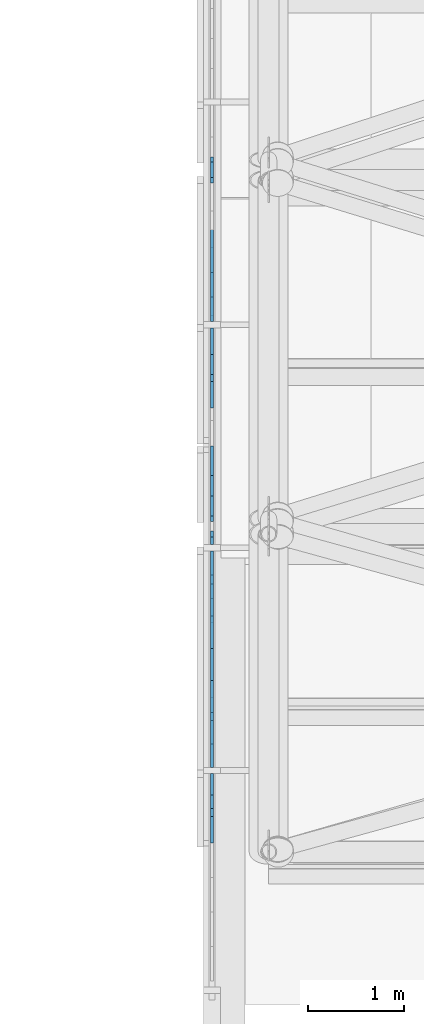
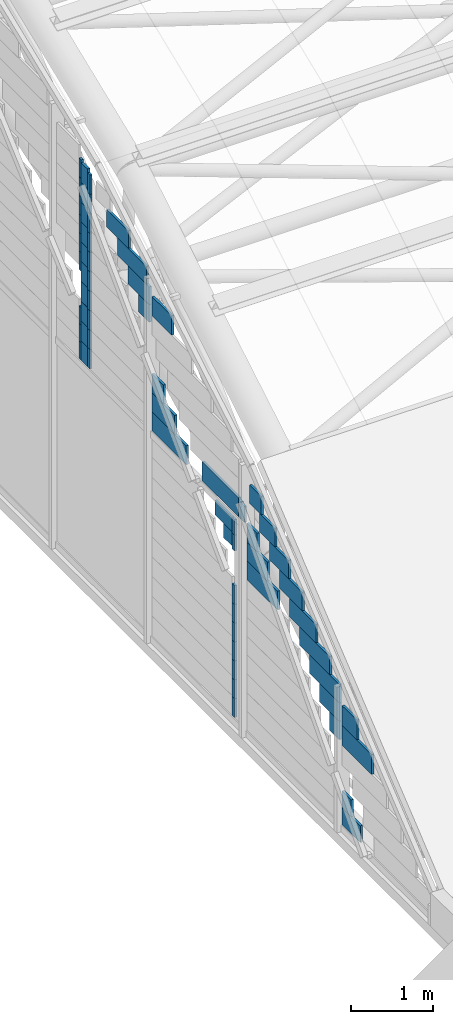
# One storey, part 69 of 110: 67 plates, 1 element without a shape of its own.
"""IFC4 building model written with IfcOpenShell, lengths in metres."""

from ifc_helpers import new_model, si_unit, direction, frame, origin, place, context, subcontext, project, spatial, polyline, outline, extrude, material, layer, layer_set, type_object, element, aggregate, save


model = new_model("IFC4")

# Units and contexts
model_context = context("Model", 3, precision=1e-05, world=origin(), true_north=direction((0.0, 1.0)))
body_context = subcontext(model_context, "Body", "Model", "MODEL_VIEW")
ifc_project = project(units=[si_unit("LENGTHUNIT", "METRE"), si_unit("AREAUNIT", "SQUARE_METRE"), si_unit("VOLUMEUNIT", "CUBIC_METRE"), si_unit("PLANEANGLEUNIT", "RADIAN"), si_unit("MASSUNIT", "GRAM", prefix="KILO")], contexts=[model_context])

# Site, building, storey
site_placement = place(None, origin())
site = spatial("IfcSite", under=ifc_project, at=site_placement, CompositionType="ELEMENT")
building_placement = place(site_placement, origin())
building = spatial("IfcBuilding", under=site, at=building_placement, Name="Windward Yard Aquatics Centre", CompositionType="ELEMENT")
storey_placement = place(building_placement, frame((0.0, 0.0, 22.60009765625)))
storey = spatial("IfcBuildingStorey", under=building, at=storey_placement, Name="L05", CompositionType="ELEMENT", Elevation=22.60009765625)

# Curtain wall, plates
ifc_material_1 = material(Name="Glass and aluminium curtain wall", Category="aluminium")
ifc_layer_1 = layer(ifc_material_1, 0.179931640625)
ifc_layer_set_1 = layer_set([ifc_layer_1], Name="H gable glazing system double glazed 8+16+8")
curtain_wall_type = type_object("IfcCurtainWallType", Name="H gable glazing system double glazed 8+16+8", PredefinedType="NOTDEFINED", material=ifc_layer_set_1)
curtain_wall_placement = place(storey_placement, origin())
curtain_wall = element("IfcCurtainWall", 1, at=curtain_wall_placement, inside=storey, type_object=curtain_wall_type, Name="Gable glazing W", PredefinedType="NOTDEFINED")
ifc_material_2 = material(Name="Low-iron glass", Category="glass")
ifc_layer_2 = layer(ifc_material_2, 0.008, Name="Outer pane")
ifc_material_3 = material(Name="Argon-filled cavity")
ifc_layer_3 = layer(ifc_material_3, 0.016, Name="Cavity")
ifc_layer_4 = layer(ifc_material_2, 0.008, Name="Inner pane")
ifc_layer_set_2 = layer_set([ifc_layer_2, ifc_layer_3, ifc_layer_4], Name="H gable glass low-e double glazed unit 32")
plate_type = type_object("IfcPlateType", Name="H gable glass low-e double glazed unit 32", PredefinedType="CURTAIN_PANEL", material=ifc_layer_set_2)
plate_1_placement = place(storey_placement, frame((59.426025390625, 41.69384765625, 1.28173828125), z_axis=(1.0, 0.0, 0.0), x_axis=(0.0, 1.0, 0.0)))
plate_1 = element("IfcPlate", 2, at=plate_1_placement, type_object=plate_type, Name="Gable panel 1.1e", PredefinedType="CURTAIN_PANEL", context=body_context, shape_type="SweptSolid", body=[
    extrude(outline(polyline([(0.0, 0.0), (0.719727, 0.0), (0.719727, 0.295166), (0.0, 0.295166), (0.0, 0.0)])), origin(), (0.0, 0.0, -1.0), 0.031982421875),
])
plate_2_placement = place(storey_placement, frame((59.426025390625, 42.0537109375, 1.5771484375), z_axis=(1.0, 0.0, 0.0), x_axis=(0.0, 1.0, 0.0)))
plate_2 = element("IfcPlate", 3, at=plate_2_placement, type_object=plate_type, Name="Gable panel 1.1f", PredefinedType="CURTAIN_PANEL", context=body_context, shape_type="SweptSolid", body=[
    extrude(outline(polyline([(0.0, 0.0), (0.359863, 0.0), (0.359863, 0.295166), (0.0, 0.295166), (0.0, 0.0)])), origin(), (0.0, 0.0, -1.0), 0.031982421875),
])
plate_3_placement = place(storey_placement, frame((59.426025390625, 41.966064453125, 0.099853515625), z_axis=(1.0, 0.0, 0.0), x_axis=(0.0, 1.0, 0.0)))
plate_3 = element("IfcPlate", 4, at=plate_3_placement, type_object=plate_type, Name="Gable panel 1.1g", PredefinedType="CURTAIN_PANEL", context=body_context, shape_type="SweptSolid", body=[
    extrude(outline(polyline([(0.0, 0.0), (0.44751, 0.0), (0.44751, 0.251221), (0.0, 0.251221), (0.0, 0.0)])), origin(), (0.0, 0.0, -1.0), 0.031982421875),
])
plate_4_placement = place(storey_placement, frame((59.426025390625, 42.189697265625, 0.3515625), z_axis=(1.0, 0.0, 0.0), x_axis=(0.0, 1.0, 0.0)))
plate_4 = element("IfcPlate", 5, at=plate_4_placement, type_object=plate_type, Name="Gable panel 1.1h", PredefinedType="CURTAIN_PANEL", context=body_context, shape_type="SweptSolid", body=[
    extrude(outline(polyline([(0.0, 0.0), (0.223877, 0.0), (0.223877, 0.250977), (0.0, 0.250977), (0.0, 0.0)])), origin(), (0.0, 0.0, -1.0), 0.031982421875),
])
plate_5_placement = place(storey_placement, frame((59.426025390625, 43.985107421875, 2.341064453125), z_axis=(1.0, 0.0, 0.0), x_axis=(0.0, 1.0, 0.0)))
plate_5 = element("IfcPlate", 6, at=plate_5_placement, type_object=plate_type, Name="Gable panel 2.1i", PredefinedType="CURTAIN_PANEL", context=body_context, shape_type="SweptSolid", body=[
    extrude(outline(polyline([(0.0, 0.0), (0.747803, 0.0), (0.747803, 0.279541), (0.0, 0.279541), (0.0, 0.0)])), origin(), (0.0, 0.0, -1.0), 0.031982421875),
])
plate_6_placement = place(storey_placement, frame((59.426025390625, 44.234375, 2.62109375), z_axis=(1.0, 0.0, 0.0), x_axis=(0.0, 1.0, 0.0)))
plate_6 = element("IfcPlate", 7, at=plate_6_placement, type_object=plate_type, Name="Gable panel 2.1j", PredefinedType="CURTAIN_PANEL", context=body_context, shape_type="SweptSolid", body=[
    extrude(outline(polyline([(0.0, 0.0), (0.498535, 0.0), (0.498535, 0.279785), (0.0, 0.279785), (0.0, 0.0)])), origin(), (0.0, 0.0, -1.0), 0.031982421875),
])
plate_7_placement = place(storey_placement, frame((59.426025390625, 44.4833984375, 2.901123046875), z_axis=(1.0, 0.0, 0.0), x_axis=(0.0, 1.0, 0.0)))
plate_7 = element("IfcPlate", 8, at=plate_7_placement, type_object=plate_type, Name="Gable panel 2.1k", PredefinedType="CURTAIN_PANEL", context=body_context, shape_type="SweptSolid", body=[
    extrude(outline(polyline([(0.0, 0.0), (0.249512, 0.0), (0.249512, 0.279785), (0.0, 0.279785), (0.0, 0.0)])), origin(), (0.0, 0.0, -1.0), 0.031982421875),
])
plate_8_placement = place(storey_placement, frame((59.426025390625, 42.478515625, 1.322021484375), z_axis=(1.0, 0.0, 0.0), x_axis=(0.0, 1.0, 0.0)))
plate_8 = element("IfcPlate", 9, at=plate_8_placement, type_object=plate_type, Name="Gable panel 2.1l", PredefinedType="CURTAIN_PANEL", context=body_context, shape_type="SweptSolid", body=[
    extrude(outline(polyline([(0.0, 0.0), (0.244141, 0.0), (0.244141, 0.273438), (0.0, 0.273438), (0.0, 0.0)])), origin(), (0.0, 0.0, -1.0), 0.031982421875),
])
plate_9_placement = place(storey_placement, frame((59.426025390625, 42.478515625, 1.595947265625), z_axis=(1.0, 0.0, 0.0), x_axis=(0.0, 1.0, 0.0)))
plate_9 = element("IfcPlate", 10, at=plate_9_placement, type_object=plate_type, Name="Gable panel 2.1m", PredefinedType="CURTAIN_PANEL", context=body_context, shape_type="SweptSolid", body=[
    extrude(outline(polyline([(0.0, 0.0), (0.487793, 0.0), (0.487793, 0.273682), (0.0, 0.273682), (0.0, 0.0)])), origin(), (0.0, 0.0, -1.0), 0.031982421875),
])
plate_10_placement = place(storey_placement, frame((59.426025390625, 42.478515625, 1.869873046875), z_axis=(1.0, 0.0, 0.0), x_axis=(0.0, 1.0, 0.0)))
plate_10 = element("IfcPlate", 11, at=plate_10_placement, type_object=plate_type, Name="Gable panel 2.1n", PredefinedType="CURTAIN_PANEL", context=body_context, shape_type="SweptSolid", body=[
    extrude(outline(polyline([(0.0, 0.0), (0.731689, 0.0), (0.731689, 0.273682), (0.0, 0.273682), (0.0, 0.0)])), origin(), (0.0, 0.0, -1.0), 0.031982421875),
])
plate_11_placement = place(storey_placement, frame((59.426025390625, 42.7177734375, 2.14404296875), z_axis=(1.0, 0.0, 0.0), x_axis=(0.0, 1.0, 0.0)))
plate_11 = element("IfcPlate", 12, at=plate_11_placement, type_object=plate_type, Name="Gable panel 2.1o", PredefinedType="CURTAIN_PANEL", context=body_context, shape_type="SweptSolid", body=[
    extrude(outline(polyline([(0.0, 0.0), (0.736084, 0.0), (0.736084, 0.273438), (0.0, 0.273438), (0.0, 0.0)])), origin(), (0.0, 0.0, -1.0), 0.031982421875),
])
plate_12_placement = place(storey_placement, frame((59.426025390625, 43.05126953125, 2.41796875), z_axis=(1.0, 0.0, 0.0), x_axis=(0.0, 1.0, 0.0)))
plate_12 = element("IfcPlate", 13, at=plate_12_placement, type_object=plate_type, Name="Gable panel 2.1p", PredefinedType="CURTAIN_PANEL", context=body_context, shape_type="SweptSolid", body=[
    extrude(outline(polyline([(0.0, 0.0), (0.64624, 0.0), (0.64624, 0.273682), (0.0, 0.273682), (0.0, 0.0)])), origin(), (0.0, 0.0, -1.0), 0.031982421875),
])
plate_13_placement = place(storey_placement, frame((59.426025390625, 43.385009765625, 2.69189453125), z_axis=(1.0, 0.0, 0.0), x_axis=(0.0, 1.0, 0.0)))
plate_13 = element("IfcPlate", 14, at=plate_13_placement, type_object=plate_type, Name="Gable panel 2.1q", PredefinedType="CURTAIN_PANEL", context=body_context, shape_type="SweptSolid", body=[
    extrude(outline(polyline([(0.0, 0.0), (0.556396, 0.0), (0.556396, 0.273682), (0.0, 0.273682), (0.0, 0.0)])), origin(), (0.0, 0.0, -1.0), 0.031982421875),
])
plate_14_placement = place(storey_placement, frame((59.426025390625, 43.718505859375, 2.966064453125), z_axis=(1.0, 0.0, 0.0), x_axis=(0.0, 1.0, 0.0)))
plate_14 = element("IfcPlate", 15, at=plate_14_placement, type_object=plate_type, Name="Gable panel 2.1r", PredefinedType="CURTAIN_PANEL", context=body_context, shape_type="SweptSolid", body=[
    extrude(outline(polyline([(0.0, 0.0), (0.466553, 0.0), (0.466553, 0.273438), (0.0, 0.273438), (0.0, 0.0)])), origin(), (0.0, 0.0, -1.0), 0.031982421875),
])
plate_15_placement = place(storey_placement, frame((59.426025390625, 44.05224609375, 3.239990234375), z_axis=(1.0, 0.0, 0.0), x_axis=(0.0, 1.0, 0.0)))
plate_15 = element("IfcPlate", 16, at=plate_15_placement, type_object=plate_type, Name="Gable panel 2.1s", PredefinedType="CURTAIN_PANEL", context=body_context, shape_type="SweptSolid", body=[
    extrude(outline(polyline([(0.0, 0.0), (0.376709, 0.0), (0.376709, 0.273682), (0.0, 0.273682), (0.0, 0.0)])), origin(), (0.0, 0.0, -1.0), 0.031982421875),
])
plate_16_placement = place(storey_placement, frame((59.426025390625, 44.385986328125, 3.513916015625), z_axis=(1.0, 0.0, 0.0), x_axis=(0.0, 1.0, 0.0)))
plate_16 = element("IfcPlate", 17, at=plate_16_placement, type_object=plate_type, Name="Gable panel 2.1t", PredefinedType="CURTAIN_PANEL", context=body_context, shape_type="SweptSolid", body=[
    extrude(outline(polyline([(0.0, 0.0), (0.286621, 0.0), (0.286621, 0.273682), (0.0, 0.273682), (0.0, 0.0)])), origin(), (0.0, 0.0, -1.0), 0.031982421875),
])
plate_17_placement = place(storey_placement, frame((59.426025390625, 45.0361328125, 0.099853515625), z_axis=(1.0, 0.0, 0.0), x_axis=(0.0, 1.0, 0.0)))
plate_17 = element("IfcPlate", 18, at=plate_17_placement, type_object=plate_type, Name="Gable panel 3.1k", PredefinedType="CURTAIN_PANEL", context=body_context, shape_type="SweptSolid", body=[
    extrude(outline(polyline([(0.0, 0.0), (0.056885, 0.0), (0.056885, 0.280762), (0.0, 0.280762), (0.0, 0.0)])), origin(), (0.0, 0.0, -1.0), 0.031982421875),
])
plate_18_placement = place(storey_placement, frame((59.426025390625, 45.0361328125, 0.381103515625), z_axis=(1.0, 0.0, 0.0), x_axis=(0.0, 1.0, 0.0)))
plate_18 = element("IfcPlate", 19, at=plate_18_placement, type_object=plate_type, Name="Gable panel 3.1l", PredefinedType="CURTAIN_PANEL", context=body_context, shape_type="SweptSolid", body=[
    extrude(outline(polyline([(0.0, 0.0), (0.056885, 0.0), (0.056885, 0.280518), (0.0, 0.280518), (0.0, 0.0)])), origin(), (0.0, 0.0, -1.0), 0.031982421875),
])
plate_19_placement = place(storey_placement, frame((59.426025390625, 45.0361328125, 0.662109375), z_axis=(1.0, 0.0, 0.0), x_axis=(0.0, 1.0, 0.0)))
plate_19 = element("IfcPlate", 20, at=plate_19_placement, type_object=plate_type, Name="Gable panel 3.1m", PredefinedType="CURTAIN_PANEL", context=body_context, shape_type="SweptSolid", body=[
    extrude(outline(polyline([(0.0, 0.0), (0.056885, 0.0), (0.056885, 0.280518), (0.0, 0.280518), (0.0, 0.0)])), origin(), (0.0, 0.0, -1.0), 0.031982421875),
])
plate_20_placement = place(storey_placement, frame((59.426025390625, 45.0361328125, 0.943115234375), z_axis=(1.0, 0.0, 0.0), x_axis=(0.0, 1.0, 0.0)))
plate_20 = element("IfcPlate", 21, at=plate_20_placement, type_object=plate_type, Name="Gable panel 3.1n", PredefinedType="CURTAIN_PANEL", context=body_context, shape_type="SweptSolid", body=[
    extrude(outline(polyline([(0.0, 0.0), (0.056885, 0.0), (0.056885, 0.280518), (0.0, 0.280518), (0.0, 0.0)])), origin(), (0.0, 0.0, -1.0), 0.031982421875),
])
plate_21_placement = place(storey_placement, frame((59.426025390625, 45.0361328125, 1.22412109375), z_axis=(1.0, 0.0, 0.0), x_axis=(0.0, 1.0, 0.0)))
plate_21 = element("IfcPlate", 22, at=plate_21_placement, type_object=plate_type, Name="Gable panel 3.1o", PredefinedType="CURTAIN_PANEL", context=body_context, shape_type="SweptSolid", body=[
    extrude(outline(polyline([(0.0, 0.0), (0.056885, 0.0), (0.056885, 0.280518), (0.0, 0.280518), (0.0, 0.0)])), origin(), (0.0, 0.0, -1.0), 0.031982421875),
])
plate_22_placement = place(storey_placement, frame((59.426025390625, 45.0361328125, 1.5048828125), z_axis=(1.0, 0.0, 0.0), x_axis=(0.0, 1.0, 0.0)))
plate_22 = element("IfcPlate", 23, at=plate_22_placement, type_object=plate_type, Name="Gable panel 3.1p", PredefinedType="CURTAIN_PANEL", context=body_context, shape_type="SweptSolid", body=[
    extrude(outline(polyline([(0.0, 0.0), (0.056885, 0.0), (0.056885, 0.280762), (0.0, 0.280762), (0.0, 0.0)])), origin(), (0.0, 0.0, -1.0), 0.031982421875),
])
plate_23_placement = place(storey_placement, frame((59.426025390625, 45.0361328125, 1.785888671875), z_axis=(1.0, 0.0, 0.0), x_axis=(0.0, 1.0, 0.0)))
plate_23 = element("IfcPlate", 24, at=plate_23_placement, type_object=plate_type, Name="Gable panel 3.1q", PredefinedType="CURTAIN_PANEL", context=body_context, shape_type="SweptSolid", body=[
    extrude(outline(polyline([(0.0, 0.0), (0.056885, 0.0), (0.056885, 0.280762), (0.0, 0.280762), (0.0, 0.0)])), origin(), (0.0, 0.0, -1.0), 0.031982421875),
])
plate_24_placement = place(storey_placement, frame((59.426025390625, 45.0361328125, 2.58203125), z_axis=(1.0, 0.0, 0.0), x_axis=(0.0, 1.0, 0.0)))
plate_24 = element("IfcPlate", 25, at=plate_24_placement, type_object=plate_type, Name="Gable panel 3.1s", PredefinedType="CURTAIN_PANEL", context=body_context, shape_type="SweptSolid", body=[
    extrude(outline(polyline([(0.0, 0.0), (0.056885, 0.0), (0.056885, 0.233643), (0.0, 0.233643), (0.0, 0.0)])), origin(), (0.0, 0.0, -1.0), 0.031982421875),
])
plate_25_placement = place(storey_placement, frame((59.426025390625, 45.0361328125, 2.81591796875), z_axis=(1.0, 0.0, 0.0), x_axis=(0.0, 1.0, 0.0)))
plate_25 = element("IfcPlate", 26, at=plate_25_placement, type_object=plate_type, Name="Gable panel 3.1t", PredefinedType="CURTAIN_PANEL", context=body_context, shape_type="SweptSolid", body=[
    extrude(outline(polyline([(0.0, 0.0), (0.056885, 0.0), (0.056885, 0.233887), (0.0, 0.233887), (0.0, 0.0)])), origin(), (0.0, 0.0, -1.0), 0.031982421875),
])
plate_26_placement = place(storey_placement, frame((59.426025390625, 45.093017578125, 2.62060546875), z_axis=(1.0, 0.0, 0.0), x_axis=(0.0, 1.0, 0.0)))
plate_26 = element("IfcPlate", 27, at=plate_26_placement, type_object=plate_type, Name="Gable panel 3.1u", PredefinedType="CURTAIN_PANEL", context=body_context, shape_type="SweptSolid", body=[
    extrude(outline(polyline([(0.0, 0.0), (0.21167, 0.0), (0.21167, 0.214355), (0.0, 0.214355), (0.0, 0.0)])), origin(), (0.0, 0.0, -1.0), 0.031982421875),
])
plate_27_placement = place(storey_placement, frame((59.426025390625, 45.093017578125, 2.83544921875), z_axis=(1.0, 0.0, 0.0), x_axis=(0.0, 1.0, 0.0)))
plate_27 = element("IfcPlate", 28, at=plate_27_placement, type_object=plate_type, Name="Gable panel 3.1v", PredefinedType="CURTAIN_PANEL", context=body_context, shape_type="SweptSolid", body=[
    extrude(outline(polyline([(0.0, 0.0), (0.42334, 0.0), (0.42334, 0.214355), (0.0, 0.214355), (0.0, 0.0)])), origin(), (0.0, 0.0, -1.0), 0.031982421875),
])
plate_28_placement = place(storey_placement, frame((59.426025390625, 44.7978515625, 3.14990234375), z_axis=(1.0, 0.0, 0.0), x_axis=(0.0, 1.0, 0.0)))
plate_28 = element("IfcPlate", 29, at=plate_28_placement, type_object=plate_type, Name="Gable panel 3.2a", PredefinedType="CURTAIN_PANEL", context=body_context, shape_type="SweptSolid", body=[
    extrude(outline(polyline([(0.0, 0.0), (0.079834, 0.0), (0.079834, 0.236816), (0.0, 0.236816), (0.0, 0.0)])), origin(), (0.0, 0.0, -1.0), 0.031982421875),
])
plate_29_placement = place(storey_placement, frame((59.426025390625, 44.877685546875, 3.14990234375), z_axis=(1.0, 0.0, 0.0), x_axis=(0.0, 1.0, 0.0)))
plate_29 = element("IfcPlate", 30, at=plate_29_placement, type_object=plate_type, Name="Gable panel 3.2b", PredefinedType="CURTAIN_PANEL", context=body_context, shape_type="SweptSolid", body=[
    extrude(outline(polyline([(0.0, 0.0), (0.059814, 0.0), (0.059814, 0.258057), (0.0, 0.258057), (0.0, 0.0)])), origin(), (0.0, 0.0, -1.0), 0.031982421875),
])
plate_30_placement = place(storey_placement, frame((59.426025390625, 44.9375, 3.14990234375), z_axis=(1.0, 0.0, 0.0), x_axis=(0.0, 1.0, 0.0)))
plate_30 = element("IfcPlate", 31, at=plate_30_placement, type_object=plate_type, Name="Gable panel 3.2c", PredefinedType="CURTAIN_PANEL", context=body_context, shape_type="SweptSolid", body=[
    extrude(outline(polyline([(0.0, 0.0), (0.888428, 0.0), (0.888428, 0.285645), (0.0, 0.285645), (0.0, 0.0)])), origin(), (0.0, 0.0, -1.0), 0.031982421875),
])
plate_31_placement = place(storey_placement, frame((59.426025390625, 46.569580078125, 4.864990234375), z_axis=(1.0, 0.0, 0.0), x_axis=(0.0, 1.0, 0.0)))
plate_31 = element("IfcPlate", 32, at=plate_31_placement, type_object=plate_type, Name="Gable panel 3.2i", PredefinedType="CURTAIN_PANEL", context=body_context, shape_type="SweptSolid", body=[
    extrude(outline(polyline([(0.0, 0.0), (0.482422, 0.0), (0.482422, 0.2854), (0.0, 0.2854), (0.0, 0.0)])), origin(), (0.0, 0.0, -1.0), 0.031982421875),
])
plate_32_placement = place(storey_placement, frame((59.426025390625, 46.216552734375, 3.14990234375), z_axis=(1.0, 0.0, 0.0), x_axis=(0.0, 1.0, 0.0)))
plate_32 = element("IfcPlate", 33, at=plate_32_placement, type_object=plate_type, Name="Gable panel 3.2j", PredefinedType="CURTAIN_PANEL", context=body_context, shape_type="SweptSolid", body=[
    extrude(outline(polyline([(0.0, 0.0), (0.835449, 0.0), (0.835449, 0.282715), (0.0, 0.282715), (0.0, 0.0)])), origin(), (0.0, 0.0, -1.0), 0.031982421875),
])
plate_33_placement = place(storey_placement, frame((59.426025390625, 46.494873046875, 3.432861328125), z_axis=(1.0, 0.0, 0.0), x_axis=(0.0, 1.0, 0.0)))
plate_33 = element("IfcPlate", 34, at=plate_33_placement, type_object=plate_type, Name="Gable panel 3.2k", PredefinedType="CURTAIN_PANEL", context=body_context, shape_type="SweptSolid", body=[
    extrude(outline(polyline([(0.0, 0.0), (0.557129, 0.0), (0.557129, 0.282471), (0.0, 0.282471), (0.0, 0.0)])), origin(), (0.0, 0.0, -1.0), 0.031982421875),
])
plate_34_placement = place(storey_placement, frame((59.426025390625, 46.7734375, 3.7158203125), z_axis=(1.0, 0.0, 0.0), x_axis=(0.0, 1.0, 0.0)))
plate_34 = element("IfcPlate", 35, at=plate_34_placement, type_object=plate_type, Name="Gable panel 3.2l", PredefinedType="CURTAIN_PANEL", context=body_context, shape_type="SweptSolid", body=[
    extrude(outline(polyline([(0.0, 0.0), (0.278564, 0.0), (0.278564, 0.282227), (0.0, 0.282227), (0.0, 0.0)])), origin(), (0.0, 0.0, -1.0), 0.031982421875),
])
plate_35_placement = place(storey_placement, frame((59.426025390625, 48.7763671875, 3.14990234375), z_axis=(1.0, 0.0, 0.0), x_axis=(0.0, 1.0, 0.0)))
plate_35 = element("IfcPlate", 36, at=plate_35_placement, type_object=plate_type, Name="Gable panel 4.2e", PredefinedType="CURTAIN_PANEL", context=body_context, shape_type="SweptSolid", body=[
    extrude(outline(polyline([(0.0, 0.0), (0.052979, 0.0), (0.052979, 0.261475), (0.0, 0.261475), (0.0, 0.0)])), origin(), (0.0, 0.0, -1.0), 0.031982421875),
])
plate_36_placement = place(storey_placement, frame((59.426025390625, 48.7763671875, 3.41162109375), z_axis=(1.0, 0.0, 0.0), x_axis=(0.0, 1.0, 0.0)))
plate_36 = element("IfcPlate", 37, at=plate_36_placement, type_object=plate_type, Name="Gable panel 4.2f", PredefinedType="CURTAIN_PANEL", context=body_context, shape_type="SweptSolid", body=[
    extrude(outline(polyline([(0.0, 0.0), (0.052979, 0.0), (0.052979, 0.261475), (0.0, 0.261475), (0.0, 0.0)])), origin(), (0.0, 0.0, -1.0), 0.031982421875),
])
plate_37_placement = place(storey_placement, frame((59.426025390625, 48.7763671875, 3.67333984375), z_axis=(1.0, 0.0, 0.0), x_axis=(0.0, 1.0, 0.0)))
plate_37 = element("IfcPlate", 38, at=plate_37_placement, type_object=plate_type, Name="Gable panel 4.2g", PredefinedType="CURTAIN_PANEL", context=body_context, shape_type="SweptSolid", body=[
    extrude(outline(polyline([(0.0, 0.0), (0.052979, 0.0), (0.052979, 0.26123), (0.0, 0.26123), (0.0, 0.0)])), origin(), (0.0, 0.0, -1.0), 0.031982421875),
])
plate_38_placement = place(storey_placement, frame((59.426025390625, 48.618896484375, 3.14990234375), z_axis=(1.0, 0.0, 0.0), x_axis=(0.0, 1.0, 0.0)))
plate_38 = element("IfcPlate", 39, at=plate_38_placement, type_object=plate_type, Name="Gable panel 4.2h", PredefinedType="CURTAIN_PANEL", context=body_context, shape_type="SweptSolid", body=[
    extrude(outline(polyline([(0.0, 0.0), (0.157471, 0.0), (0.157471, 0.294434), (0.0, 0.294434), (0.0, 0.0)])), origin(), (0.0, 0.0, -1.0), 0.031982421875),
])
plate_39_placement = place(storey_placement, frame((59.426025390625, 48.618896484375, 3.444580078125), z_axis=(1.0, 0.0, 0.0), x_axis=(0.0, 1.0, 0.0)))
plate_39 = element("IfcPlate", 40, at=plate_39_placement, type_object=plate_type, Name="Gable panel 4.2i", PredefinedType="CURTAIN_PANEL", context=body_context, shape_type="SweptSolid", body=[
    extrude(outline(polyline([(0.0, 0.0), (0.157471, 0.0), (0.157471, 0.294189), (0.0, 0.294189), (0.0, 0.0)])), origin(), (0.0, 0.0, -1.0), 0.031982421875),
])
plate_40_placement = place(storey_placement, frame((59.426025390625, 48.618896484375, 3.7392578125), z_axis=(1.0, 0.0, 0.0), x_axis=(0.0, 1.0, 0.0)))
plate_40 = element("IfcPlate", 41, at=plate_40_placement, type_object=plate_type, Name="Gable panel 4.2j", PredefinedType="CURTAIN_PANEL", context=body_context, shape_type="SweptSolid", body=[
    extrude(outline(polyline([(0.0, 0.0), (0.157471, 0.0), (0.157471, 0.294189), (0.0, 0.294189), (0.0, 0.0)])), origin(), (0.0, 0.0, -1.0), 0.031982421875),
])
plate_41_placement = place(storey_placement, frame((59.426025390625, 48.618896484375, 4.03369140625), z_axis=(1.0, 0.0, 0.0), x_axis=(0.0, 1.0, 0.0)))
plate_41 = element("IfcPlate", 42, at=plate_41_placement, type_object=plate_type, Name="Gable panel 4.2k", PredefinedType="CURTAIN_PANEL", context=body_context, shape_type="SweptSolid", body=[
    extrude(outline(polyline([(0.0, 0.0), (0.157471, 0.0), (0.157471, 0.294189), (0.0, 0.294189), (0.0, 0.0)])), origin(), (0.0, 0.0, -1.0), 0.031982421875),
])
plate_42_placement = place(storey_placement, frame((59.426025390625, 48.618896484375, 4.328369140625), z_axis=(1.0, 0.0, 0.0), x_axis=(0.0, 1.0, 0.0)))
plate_42 = element("IfcPlate", 43, at=plate_42_placement, type_object=plate_type, Name="Gable panel 4.2l", PredefinedType="CURTAIN_PANEL", context=body_context, shape_type="SweptSolid", body=[
    extrude(outline(polyline([(0.0, 0.0), (0.157471, 0.0), (0.157471, 0.294189), (0.0, 0.294189), (0.0, 0.0)])), origin(), (0.0, 0.0, -1.0), 0.031982421875),
])
plate_43_placement = place(storey_placement, frame((59.426025390625, 48.618896484375, 4.622802734375), z_axis=(1.0, 0.0, 0.0), x_axis=(0.0, 1.0, 0.0)))
plate_43 = element("IfcPlate", 44, at=plate_43_placement, type_object=plate_type, Name="Gable panel 4.2m", PredefinedType="CURTAIN_PANEL", context=body_context, shape_type="SweptSolid", body=[
    extrude(outline(polyline([(0.0, 0.0), (0.157471, 0.0), (0.157471, 0.294189), (0.0, 0.294189), (0.0, 0.0)])), origin(), (0.0, 0.0, -1.0), 0.031982421875),
])
plate_44_placement = place(storey_placement, frame((59.426025390625, 48.618896484375, 4.91748046875), z_axis=(1.0, 0.0, 0.0), x_axis=(0.0, 1.0, 0.0)))
plate_44 = element("IfcPlate", 45, at=plate_44_placement, type_object=plate_type, Name="Gable panel 4.2n", PredefinedType="CURTAIN_PANEL", context=body_context, shape_type="SweptSolid", body=[
    extrude(outline(polyline([(0.0, 0.0), (0.157471, 0.0), (0.157471, 0.294189), (0.0, 0.294189), (0.0, 0.0)])), origin(), (0.0, 0.0, -1.0), 0.031982421875),
])
plate_45_placement = place(storey_placement, frame((59.426025390625, 48.618896484375, 5.212158203125), z_axis=(1.0, 0.0, 0.0), x_axis=(0.0, 1.0, 0.0)))
plate_45 = element("IfcPlate", 46, at=plate_45_placement, type_object=plate_type, Name="Gable panel 4.2o", PredefinedType="CURTAIN_PANEL", context=body_context, shape_type="SweptSolid", body=[
    extrude(outline(polyline([(0.0, 0.0), (0.157471, 0.0), (0.157471, 0.293945), (0.0, 0.293945), (0.0, 0.0)])), origin(), (0.0, 0.0, -1.0), 0.031982421875),
])
plate_46_placement = place(storey_placement, frame((59.426025390625, 48.618896484375, 5.506591796875), z_axis=(1.0, 0.0, 0.0), x_axis=(0.0, 1.0, 0.0)))
plate_46 = element("IfcPlate", 47, at=plate_46_placement, type_object=plate_type, Name="Gable panel 4.2p", PredefinedType="CURTAIN_PANEL", context=body_context, shape_type="SweptSolid", body=[
    extrude(outline(polyline([(0.0, 0.0), (0.157471, 0.0), (0.157471, 0.294189), (0.0, 0.294189), (0.0, 0.0)])), origin(), (0.0, 0.0, -1.0), 0.031982421875),
])
plate_47_placement = place(storey_placement, frame((59.426025390625, 48.618896484375, 5.80126953125), z_axis=(1.0, 0.0, 0.0), x_axis=(0.0, 1.0, 0.0)))
plate_47 = element("IfcPlate", 48, at=plate_47_placement, type_object=plate_type, Name="Gable panel 4.2q", PredefinedType="CURTAIN_PANEL", context=body_context, shape_type="SweptSolid", body=[
    extrude(outline(polyline([(0.0, 0.0), (0.157471, 0.0), (0.157471, 0.293945), (0.0, 0.293945), (0.0, 0.0)])), origin(), (0.0, 0.0, -1.0), 0.031982421875),
])
plate_48_placement = place(storey_placement, frame((59.426025390625, 48.7763671875, 4.4736328125), z_axis=(1.0, 0.0, 0.0), x_axis=(0.0, 1.0, 0.0)))
plate_48 = element("IfcPlate", 49, at=plate_48_placement, type_object=plate_type, Name="Gable panel 4.2r", PredefinedType="CURTAIN_PANEL", context=body_context, shape_type="SweptSolid", body=[
    extrude(outline(polyline([(0.0, 0.0), (0.052979, 0.0), (0.052979, 0.276367), (0.0, 0.276367), (0.0, 0.0)])), origin(), (0.0, 0.0, -1.0), 0.031982421875),
])
plate_49_placement = place(storey_placement, frame((59.426025390625, 48.7763671875, 4.75048828125), z_axis=(1.0, 0.0, 0.0), x_axis=(0.0, 1.0, 0.0)))
plate_49 = element("IfcPlate", 50, at=plate_49_placement, type_object=plate_type, Name="Gable panel 4.2s", PredefinedType="CURTAIN_PANEL", context=body_context, shape_type="SweptSolid", body=[
    extrude(outline(polyline([(0.0, 0.0), (0.052979, 0.0), (0.052979, 0.276367), (0.0, 0.276367), (0.0, 0.0)])), origin(), (0.0, 0.0, -1.0), 0.031982421875),
])
plate_50_placement = place(storey_placement, frame((59.426025390625, 48.7763671875, 5.02734375), z_axis=(1.0, 0.0, 0.0), x_axis=(0.0, 1.0, 0.0)))
plate_50 = element("IfcPlate", 51, at=plate_50_placement, type_object=plate_type, Name="Gable panel 4.2t", PredefinedType="CURTAIN_PANEL", context=body_context, shape_type="SweptSolid", body=[
    extrude(outline(polyline([(0.0, 0.0), (0.052979, 0.0), (0.052979, 0.276367), (0.0, 0.276367), (0.0, 0.0)])), origin(), (0.0, 0.0, -1.0), 0.031982421875),
])
plate_51_placement = place(storey_placement, frame((59.426025390625, 48.7763671875, 5.30419921875), z_axis=(1.0, 0.0, 0.0), x_axis=(0.0, 1.0, 0.0)))
plate_51 = element("IfcPlate", 52, at=plate_51_placement, type_object=plate_type, Name="Gable panel 4.2u", PredefinedType="CURTAIN_PANEL", context=body_context, shape_type="SweptSolid", body=[
    extrude(outline(polyline([(0.0, 0.0), (0.052979, 0.0), (0.052979, 0.276367), (0.0, 0.276367), (0.0, 0.0)])), origin(), (0.0, 0.0, -1.0), 0.031982421875),
])
plate_52_placement = place(storey_placement, frame((59.426025390625, 48.7763671875, 5.5810546875), z_axis=(1.0, 0.0, 0.0), x_axis=(0.0, 1.0, 0.0)))
plate_52 = element("IfcPlate", 53, at=plate_52_placement, type_object=plate_type, Name="Gable panel 4.2v", PredefinedType="CURTAIN_PANEL", context=body_context, shape_type="SweptSolid", body=[
    extrude(outline(polyline([(0.0, 0.0), (0.052979, 0.0), (0.052979, 0.276367), (0.0, 0.276367), (0.0, 0.0)])), origin(), (0.0, 0.0, -1.0), 0.031982421875),
])
plate_53_placement = place(storey_placement, frame((59.426025390625, 48.7763671875, 5.85791015625), z_axis=(1.0, 0.0, 0.0), x_axis=(0.0, 1.0, 0.0)))
plate_53 = element("IfcPlate", 54, at=plate_53_placement, type_object=plate_type, Name="Gable panel 4.2w", PredefinedType="CURTAIN_PANEL", context=body_context, shape_type="SweptSolid", body=[
    extrude(outline(polyline([(0.0, 0.0), (0.052979, 0.0), (0.052979, 0.276367), (0.0, 0.276367), (0.0, 0.0)])), origin(), (0.0, 0.0, -1.0), 0.031982421875),
])
plate_54_placement = place(storey_placement, frame((59.426025390625, 48.561767578125, 3.14990234375), z_axis=(1.0, 0.0, 0.0), x_axis=(0.0, 1.0, 0.0)))
plate_54 = element("IfcPlate", 55, at=plate_54_placement, type_object=plate_type, Name="Gable panel 4.2ad", PredefinedType="CURTAIN_PANEL", context=body_context, shape_type="SweptSolid", body=[
    extrude(outline(polyline([(0.0, 0.0), (0.057129, 0.0), (0.057129, 0.288574), (0.0, 0.288574), (0.0, 0.0)])), origin(), (0.0, 0.0, -1.0), 0.031982421875),
])
plate_55_placement = place(storey_placement, frame((59.426025390625, 48.561767578125, 3.43896484375), z_axis=(1.0, 0.0, 0.0), x_axis=(0.0, 1.0, 0.0)))
plate_55 = element("IfcPlate", 56, at=plate_55_placement, type_object=plate_type, Name="Gable panel 4.2ae", PredefinedType="CURTAIN_PANEL", context=body_context, shape_type="SweptSolid", body=[
    extrude(outline(polyline([(0.0, 0.0), (0.057129, 0.0), (0.057129, 0.28833), (0.0, 0.28833), (0.0, 0.0)])), origin(), (0.0, 0.0, -1.0), 0.031982421875),
])
plate_56_placement = place(storey_placement, frame((59.426025390625, 48.561767578125, 3.727783203125), z_axis=(1.0, 0.0, 0.0), x_axis=(0.0, 1.0, 0.0)))
plate_56 = element("IfcPlate", 57, at=plate_56_placement, type_object=plate_type, Name="Gable panel 4.2af", PredefinedType="CURTAIN_PANEL", context=body_context, shape_type="SweptSolid", body=[
    extrude(outline(polyline([(0.0, 0.0), (0.057129, 0.0), (0.057129, 0.28833), (0.0, 0.28833), (0.0, 0.0)])), origin(), (0.0, 0.0, -1.0), 0.031982421875),
])
plate_57_placement = place(storey_placement, frame((59.426025390625, 48.561767578125, 4.0166015625), z_axis=(1.0, 0.0, 0.0), x_axis=(0.0, 1.0, 0.0)))
plate_57 = element("IfcPlate", 58, at=plate_57_placement, type_object=plate_type, Name="Gable panel 4.2ag", PredefinedType="CURTAIN_PANEL", context=body_context, shape_type="SweptSolid", body=[
    extrude(outline(polyline([(0.0, 0.0), (0.057129, 0.0), (0.057129, 0.28833), (0.0, 0.28833), (0.0, 0.0)])), origin(), (0.0, 0.0, -1.0), 0.031982421875),
])
plate_58_placement = place(storey_placement, frame((59.426025390625, 48.561767578125, 4.305419921875), z_axis=(1.0, 0.0, 0.0), x_axis=(0.0, 1.0, 0.0)))
plate_58 = element("IfcPlate", 59, at=plate_58_placement, type_object=plate_type, Name="Gable panel 4.2ah", PredefinedType="CURTAIN_PANEL", context=body_context, shape_type="SweptSolid", body=[
    extrude(outline(polyline([(0.0, 0.0), (0.057129, 0.0), (0.057129, 0.28833), (0.0, 0.28833), (0.0, 0.0)])), origin(), (0.0, 0.0, -1.0), 0.031982421875),
])
plate_59_placement = place(storey_placement, frame((59.426025390625, 48.561767578125, 4.59423828125), z_axis=(1.0, 0.0, 0.0), x_axis=(0.0, 1.0, 0.0)))
plate_59 = element("IfcPlate", 60, at=plate_59_placement, type_object=plate_type, Name="Gable panel 4.2ai", PredefinedType="CURTAIN_PANEL", context=body_context, shape_type="SweptSolid", body=[
    extrude(outline(polyline([(0.0, 0.0), (0.057129, 0.0), (0.057129, 0.28833), (0.0, 0.28833), (0.0, 0.0)])), origin(), (0.0, 0.0, -1.0), 0.031982421875),
])
plate_60_placement = place(storey_placement, frame((59.426025390625, 48.561767578125, 4.883056640625), z_axis=(1.0, 0.0, 0.0), x_axis=(0.0, 1.0, 0.0)))
plate_60 = element("IfcPlate", 61, at=plate_60_placement, type_object=plate_type, Name="Gable panel 4.2aj", PredefinedType="CURTAIN_PANEL", context=body_context, shape_type="SweptSolid", body=[
    extrude(outline(polyline([(0.0, 0.0), (0.057129, 0.0), (0.057129, 0.28833), (0.0, 0.28833), (0.0, 0.0)])), origin(), (0.0, 0.0, -1.0), 0.031982421875),
])
plate_61_placement = place(storey_placement, frame((59.426025390625, 48.561767578125, 5.171875), z_axis=(1.0, 0.0, 0.0), x_axis=(0.0, 1.0, 0.0)))
plate_61 = element("IfcPlate", 62, at=plate_61_placement, type_object=plate_type, Name="Gable panel 4.2ak", PredefinedType="CURTAIN_PANEL", context=body_context, shape_type="SweptSolid", body=[
    extrude(outline(polyline([(0.0, 0.0), (0.057129, 0.0), (0.057129, 0.28833), (0.0, 0.28833), (0.0, 0.0)])), origin(), (0.0, 0.0, -1.0), 0.031982421875),
])
plate_62_placement = place(storey_placement, frame((59.426025390625, 48.561767578125, 5.460693359375), z_axis=(1.0, 0.0, 0.0), x_axis=(0.0, 1.0, 0.0)))
plate_62 = element("IfcPlate", 63, at=plate_62_placement, type_object=plate_type, Name="Gable panel 4.2al", PredefinedType="CURTAIN_PANEL", context=body_context, shape_type="SweptSolid", body=[
    extrude(outline(polyline([(0.0, 0.0), (0.057129, 0.0), (0.057129, 0.28833), (0.0, 0.28833), (0.0, 0.0)])), origin(), (0.0, 0.0, -1.0), 0.031982421875),
])
plate_63_placement = place(storey_placement, frame((59.426025390625, 48.561767578125, 5.74951171875), z_axis=(1.0, 0.0, 0.0), x_axis=(0.0, 1.0, 0.0)))
plate_63 = element("IfcPlate", 64, at=plate_63_placement, type_object=plate_type, Name="Gable panel 4.2am", PredefinedType="CURTAIN_PANEL", context=body_context, shape_type="SweptSolid", body=[
    extrude(outline(polyline([(0.0, 0.0), (0.057129, 0.0), (0.057129, 0.28833), (0.0, 0.28833), (0.0, 0.0)])), origin(), (0.0, 0.0, -1.0), 0.031982421875),
])
plate_64_placement = place(storey_placement, frame((59.426025390625, 47.1171875, 4.724609375), z_axis=(1.0, 0.0, 0.0), x_axis=(0.0, 1.0, 0.0)))
plate_64 = element("IfcPlate", 65, at=plate_64_placement, type_object=plate_type, Name="Gable panel 4.2av", PredefinedType="CURTAIN_PANEL", context=body_context, shape_type="SweptSolid", body=[
    extrude(outline(polyline([(0.0, 0.0), (0.259277, 0.0), (0.259277, 0.262939), (0.0, 0.262939), (0.0, 0.0)])), origin(), (0.0, 0.0, -1.0), 0.031982421875),
])
plate_65_placement = place(storey_placement, frame((59.426025390625, 47.1171875, 4.98779296875), z_axis=(1.0, 0.0, 0.0), x_axis=(0.0, 1.0, 0.0)))
plate_65 = element("IfcPlate", 66, at=plate_65_placement, type_object=plate_type, Name="Gable panel 4.2aw", PredefinedType="CURTAIN_PANEL", context=body_context, shape_type="SweptSolid", body=[
    extrude(outline(polyline([(0.0, 0.0), (0.518555, 0.0), (0.518555, 0.262939), (0.0, 0.262939), (0.0, 0.0)])), origin(), (0.0, 0.0, -1.0), 0.031982421875),
])
plate_66_placement = place(storey_placement, frame((59.426025390625, 47.18310546875, 5.251220703125), z_axis=(1.0, 0.0, 0.0), x_axis=(0.0, 1.0, 0.0)))
plate_66 = element("IfcPlate", 67, at=plate_66_placement, type_object=plate_type, Name="Gable panel 4.2ax", PredefinedType="CURTAIN_PANEL", context=body_context, shape_type="SweptSolid", body=[
    extrude(outline(polyline([(0.0, 0.0), (0.71167, 0.0), (0.71167, 0.262695), (0.0, 0.262695), (0.0, 0.0)])), origin(), (0.0, 0.0, -1.0), 0.031982421875),
])
plate_67_placement = place(storey_placement, frame((59.426025390625, 47.627197265625, 5.514404296875), z_axis=(1.0, 0.0, 0.0), x_axis=(0.0, 1.0, 0.0)))
plate_67 = element("IfcPlate", 68, at=plate_67_placement, type_object=plate_type, Name="Gable panel 4.2ay", PredefinedType="CURTAIN_PANEL", context=body_context, shape_type="SweptSolid", body=[
    extrude(outline(polyline([(0.0, 0.0), (0.526855, 0.0), (0.526855, 0.262695), (0.0, 0.262695), (0.0, 0.0)])), origin(), (0.0, 0.0, -1.0), 0.031982421875),
])
aggregate(curtain_wall, [plate_1, plate_2, plate_3, plate_4, plate_5, plate_6, plate_7, plate_8, plate_9, plate_10, plate_11, plate_12, plate_13, plate_14, plate_15, plate_16, plate_17, plate_18, plate_19, plate_20, plate_21, plate_22, plate_23, plate_24, plate_25, plate_26, plate_27, plate_28, plate_29, plate_30, plate_31, plate_32, plate_33, plate_34, plate_35, plate_36, plate_37, plate_38, plate_39, plate_40, plate_41, plate_42, plate_43, plate_44, plate_45, plate_46, plate_47, plate_48, plate_49, plate_50, plate_51, plate_52, plate_53, plate_54, plate_55, plate_56, plate_57, plate_58, plate_59, plate_60, plate_61, plate_62, plate_63, plate_64, plate_65, plate_66, plate_67])

save(model, "model.ifc")
